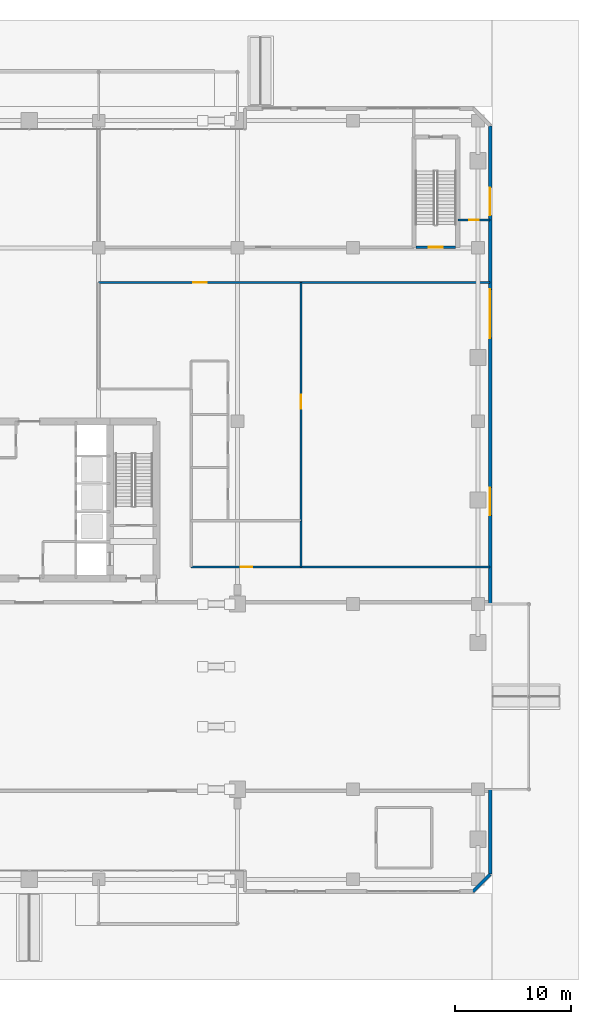
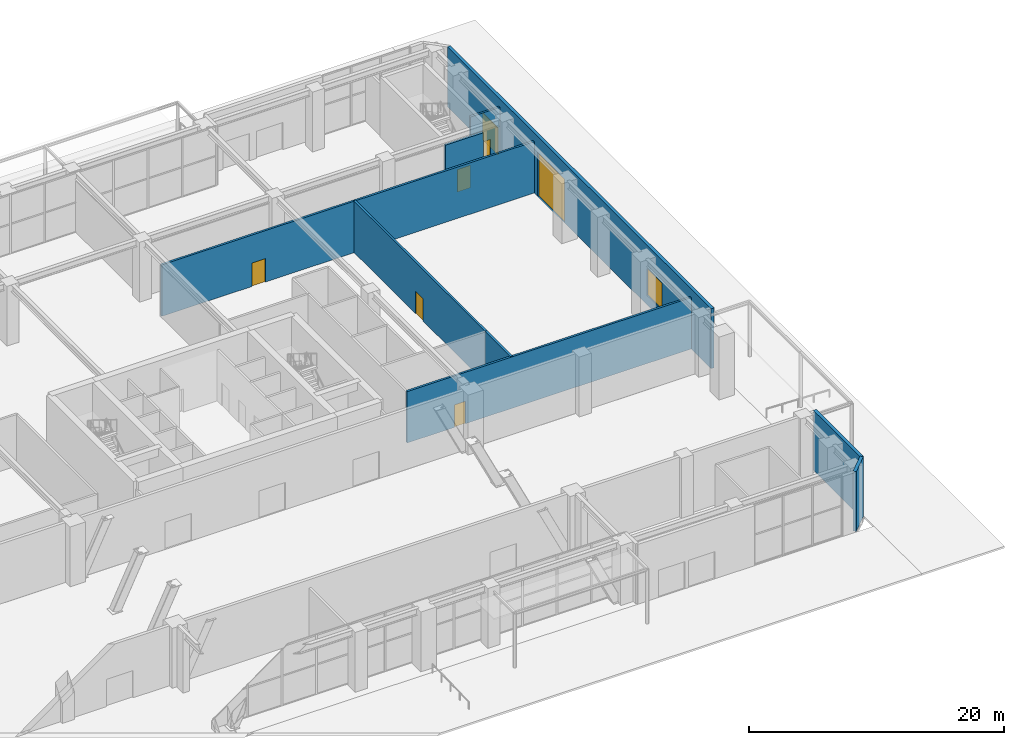
# One storey, part 39 of 49: 9 walls, 7 doors, 1 window, 8 openings.
"""IFC4 building model written with IfcOpenShell, lengths in metres."""

from ifc_helpers import new_model, si_unit, direction, frame, frame_2d, origin, place, context, subcontext, project, spatial, rectangle, extrude, material, layer, layer_set, type_object, element, fill, save


model = new_model("IFC4")

# Units and contexts
model_context = context("Model", 3, precision=1e-05, world=origin(), true_north=direction((0.0, 1.0)))
body_context = subcontext(model_context, "Body", "Model", "MODEL_VIEW")
ifc_project = project(units=[si_unit("LENGTHUNIT", "METRE"), si_unit("AREAUNIT", "SQUARE_METRE"), si_unit("VOLUMEUNIT", "CUBIC_METRE"), si_unit("PLANEANGLEUNIT", "RADIAN"), si_unit("MASSUNIT", "GRAM", prefix="KILO")], contexts=[model_context])

# Site, building, storey
site_placement = place(None, origin())
site = spatial("IfcSite", under=ifc_project, at=site_placement, CompositionType="ELEMENT")
building_placement = place(site_placement, origin())
building = spatial("IfcBuilding", under=site, at=building_placement, Name="Sarneth Arch Tower", CompositionType="ELEMENT")
storey_placement = place(building_placement, origin())
storey = spatial("IfcBuildingStorey", under=building, at=storey_placement, Name="L00", CompositionType="ELEMENT", Elevation=0.0)

# Wall, opening, door
ifc_material_1 = material(Name="Double steel-stud corridor fire wall", Category="steel")
ifc_layer_1 = layer(ifc_material_1, 0.18994140625)
ifc_layer_set_1 = layer_set([ifc_layer_1], Name="Double steel-stud corridor fire wall")
wall_type_1 = type_object("IfcWallType", Name="WALL-CORR-190", PredefinedType="PARTITIONING", material=ifc_layer_set_1)
wall_1_placement = place(storey_placement, frame((71.5, 60.800048828125, 0.0), z_axis=(0.0, 0.0, 1.0), x_axis=(0.0, -1.0, 0.0)))
wall_1 = element("IfcWall", 1, at=wall_1_placement, inside=storey, type_object=wall_type_1, Name="L00 Interior partition W-L00N-TP-035", PredefinedType="PARTITIONING", context=body_context, shape_type="SweptSolid", body=[
    extrude(rectangle(XDim=20.60009765625, YDim=0.18994140625, at=frame_2d((10.300048828125, 0.0))), origin(), (0.0, 0.0, 1.0), 4.919921875),
])
opening_1_placement = place(wall_1_placement, frame((9.699951171875, 0.0, 0.0)))
opening_1 = element("IfcOpeningElement", 2, at=opening_1_placement, cuts=wall_1, Name="Opening FD-02", PredefinedType="OPENING", context=body_context, shape_type="SweptSolid", body=[
    extrude(rectangle(XDim=1.199951171875, YDim=2.14990234375, at=frame_2d((0.60009765625, 1.074951171875))), frame((0.0, 0.10498046875, 0.0), z_axis=(0.0, -1.0, 0.0), x_axis=(1.0, 0.0, 0.0)), (0.0, 0.0, 1.0), 0.2099609375),
])
ifc_material_2 = material(Name="Galvanised Steel S275 fire door set", Category="steel")
door_type_1 = type_object("IfcDoorType", Name="DR-FD90-1200", OperationType="SINGLE_SWING_LEFT", PredefinedType="DOOR", material=ifc_material_2)
door_1_placement = place(opening_1_placement, origin())
door_1 = element("IfcDoor", 3, at=door_1_placement, inside=storey, type_object=door_type_1, Name="L00 Interior door DR-L00-LOAD", OperationType="SINGLE_SWING_LEFT", OverallHeight=2.14990234375, OverallWidth=1.199951171875, PredefinedType="DOOR", context=body_context, shape_type="SweptSolid", body=[
    extrude(rectangle(XDim=1.199951171875, YDim=2.14990234375, at=frame_2d((0.60009765625, 1.074951171875))), frame((0.0, 0.02490234375, 0.0), z_axis=(0.0, -1.0, 0.0), x_axis=(1.0, 0.0, 0.0)), (0.0, 0.0, 1.0), 0.050048828125),
])
fill(opening_1, door_1)

wall_2_placement = place(storey_placement, frame((87.85009765625, 60.800048828125, 0.0), z_axis=(0.0, 0.0, 1.0), x_axis=(-1.0, 0.0, 0.0)))
wall_2 = element("IfcWall", 4, at=wall_2_placement, inside=storey, type_object=wall_type_1, Name="L00 Interior partition W-L00N-TP-018", PredefinedType="PARTITIONING", context=body_context, shape_type="SweptSolid", body=[
    extrude(rectangle(XDim=33.85009765625, YDim=0.18994140625, at=frame_2d((16.925048828125, 0.0))), origin(), (0.0, 0.0, 1.0), 4.919921875),
])
opening_2_placement = place(wall_2_placement, frame((24.48388671875, 0.0, 0.0)))
opening_2 = element("IfcOpeningElement", 5, at=opening_2_placement, cuts=wall_2, Name="Opening FD-06", PredefinedType="OPENING", context=body_context, shape_type="SweptSolid", body=[
    extrude(rectangle(XDim=1.199951171875, YDim=2.25, at=frame_2d((0.60009765625, 1.125))), frame((0.0, 0.10498046875, 0.0), z_axis=(0.0, -1.0, 0.0), x_axis=(1.0, 0.0, 0.0)), (0.0, 0.0, 1.0), 0.2099609375),
])
ifc_material_3 = material(Name="Hardwood timber acoustic fire door", Category="wood")
door_type_2 = type_object("IfcDoorType", Name="DR-FD60-1200", OperationType="SINGLE_SWING_LEFT", PredefinedType="DOOR", material=ifc_material_3)
door_2_placement = place(opening_2_placement, origin())
door_2 = element("IfcDoor", 6, at=door_2_placement, inside=storey, type_object=door_type_2, Name="L00 Interior door DR-L00-BOH", OperationType="SINGLE_SWING_RIGHT", OverallHeight=2.25, OverallWidth=1.199951171875, PredefinedType="DOOR", context=body_context, shape_type="SweptSolid", body=[
    extrude(rectangle(XDim=1.199951171875, YDim=2.25, at=frame_2d((0.60009765625, 1.125))), frame((0.0, 0.02490234375, 0.0), z_axis=(0.0, -1.0, 0.0), x_axis=(1.0, 0.0, 0.0)), (0.0, 0.0, 1.0), 0.050048828125),
])
fill(opening_2, door_2)

wall_3_placement = place(storey_placement, frame((62.0, 36.199951171875, 0.0), z_axis=(0.0, 0.0, 1.0), x_axis=(1.0, 0.0, 0.0)))
wall_3 = element("IfcWall", 7, at=wall_3_placement, inside=storey, type_object=wall_type_1, Name="L00 Interior partition W-L00N-TP-021", PredefinedType="PARTITIONING", context=body_context, shape_type="SweptSolid", body=[
    extrude(rectangle(XDim=25.85009765625, YDim=0.18994140625, at=frame_2d((12.925048828125, 0.0))), origin(), (0.0, 0.0, 1.0), 4.919921875),
])
opening_3_placement = place(wall_3_placement, frame((4.26611328125, 0.0, 0.0)))
opening_3 = element("IfcOpeningElement", 8, at=opening_3_placement, cuts=wall_3, Name="Opening FD-04", PredefinedType="OPENING", context=body_context, shape_type="SweptSolid", body=[
    extrude(rectangle(XDim=1.0, YDim=2.14990234375, at=frame_2d((0.5, 1.074951171875))), frame((0.0, 0.10498046875, 0.0), z_axis=(0.0, -1.0, 0.0), x_axis=(1.0, 0.0, 0.0)), (0.0, 0.0, 1.0), 0.2099609375),
])
ifc_material_4 = material(Name="Galvanised Steel S275 fire door set", Category="steel")
door_type_3 = type_object("IfcDoorType", Name="DR-FD90-1000", OperationType="SINGLE_SWING_RIGHT", PredefinedType="DOOR", material=ifc_material_4)
door_3_placement = place(opening_3_placement, origin())
door_3 = element("IfcDoor", 9, at=door_3_placement, inside=storey, type_object=door_type_3, Name="L00 Interior door DR-L00-FCC", OperationType="SINGLE_SWING_LEFT", OverallHeight=2.14990234375, OverallWidth=1.0, PredefinedType="DOOR", context=body_context, shape_type="SweptSolid", body=[
    extrude(rectangle(XDim=1.0, YDim=2.14990234375, at=frame_2d((0.5, 1.074951171875))), frame((0.0, 0.02490234375, 0.0), z_axis=(0.0, -1.0, 0.0), x_axis=(1.0, 0.0, 0.0)), (0.0, 0.0, 1.0), 0.050048828125),
])
fill(opening_3, door_3)

wall_4_placement = place(storey_placement, frame((85.050048828125, 66.199951171875, 0.0), z_axis=(0.0, 0.0, 1.0), x_axis=(1.0, 0.0, 0.0)))
wall_4 = element("IfcWall", 10, at=wall_4_placement, inside=storey, type_object=wall_type_1, Name="L00 Interior partition W-L00N-TP-012", PredefinedType="PARTITIONING", context=body_context, shape_type="SweptSolid", body=[
    extrude(rectangle(XDim=2.800048828125, YDim=0.18994140625, at=frame_2d((1.39990234375, 0.0))), origin(), (0.0, 0.0, 1.0), 4.919921875),
])
opening_4_placement = place(wall_4_placement, frame((0.97509765625, 0.0, 0.0)))
opening_4 = element("IfcOpeningElement", 11, at=opening_4_placement, cuts=wall_4, Name="Opening FD-11", PredefinedType="OPENING", context=body_context, shape_type="SweptSolid", body=[
    extrude(rectangle(XDim=0.85009765625, YDim=2.14990234375, at=frame_2d((0.425048828125, 1.074951171875))), frame((0.0, 0.10498046875, 0.0), z_axis=(0.0, -1.0, 0.0), x_axis=(1.0, 0.0, 0.0)), (0.0, 0.0, 1.0), 0.2099609375),
])
ifc_material_5 = material(Name="Galvanised Steel S275 closet fire door", Category="steel")
door_type_4 = type_object("IfcDoorType", Name="DR-FD60-850", OperationType="SINGLE_SWING_LEFT", PredefinedType="DOOR", material=ifc_material_5)
door_4_placement = place(opening_4_placement, origin())
door_4 = element("IfcDoor", 12, at=door_4_placement, inside=storey, type_object=door_type_4, Name="L00 Interior door DR-L00-EVS", OperationType="SINGLE_SWING_RIGHT", OverallHeight=2.14990234375, OverallWidth=0.85009765625, PredefinedType="DOOR", context=body_context, shape_type="SweptSolid", body=[
    extrude(rectangle(XDim=0.85009765625, YDim=2.14990234375, at=frame_2d((0.425048828125, 1.074951171875))), frame((0.0, 0.02490234375, 0.0), z_axis=(0.0, -1.0, 0.0), x_axis=(1.0, 0.0, 0.0)), (0.0, 0.0, 1.0), 0.050048828125),
])
fill(opening_4, door_4)

# Wall, openings, doors, window
ifc_material_6 = material(Name="Extruded terracotta rainscreen on Concrete C40/50 backing", Category="masonry")
ifc_layer_2 = layer(ifc_material_6, 0.280029296875)
ifc_layer_set_2 = layer_set([ifc_layer_2], Name="Extruded terracotta rainscreen on Concrete C40/50 backing")
wall_type_2 = type_object("IfcWallType", Name="WALL-EXT-TERRA-280", PredefinedType="SOLIDWALL", material=ifc_layer_set_2)
wall_5_placement = place(storey_placement, frame((87.85009765625, 74.35009765625, 0.0), z_axis=(0.0, 0.0, 1.0), x_axis=(0.0, -1.0, 0.0)))
wall_5 = element("IfcWall", 13, at=wall_5_placement, inside=storey, type_object=wall_type_2, Name="L00 East podium north wall", PredefinedType="SOLIDWALL", context=body_context, shape_type="SweptSolid", body=[
    extrude(rectangle(XDim=41.35009765625, YDim=0.280029296875, at=frame_2d((20.675048828125, 0.0))), origin(), (0.0, 0.0, 1.0), 5.719970703125),
])
opening_5_placement = place(wall_5_placement, frame((5.35009765625, 0.0, 0.0)))
opening_5 = element("IfcOpeningElement", 14, at=opening_5_placement, cuts=wall_5, Name="Opening ED-1", PredefinedType="OPENING", context=body_context, shape_type="SweptSolid", body=[
    extrude(rectangle(XDim=2.39990234375, YDim=2.60009765625, at=frame_2d((1.199951171875, 1.300048828125))), frame((0.0, 0.14990234375, 0.0), z_axis=(0.0, -1.0, 0.0), x_axis=(1.0, 0.0, 0.0)), (0.0, 0.0, 1.0), 0.300048828125),
])
opening_6_placement = place(wall_5_placement, frame((14.14990234375, 0.0, 0.0)))
opening_6 = element("IfcOpeningElement", 15, at=opening_6_placement, cuts=wall_5, Name="Opening VD-01", PredefinedType="OPENING", context=body_context, shape_type="SweptSolid", body=[
    extrude(rectangle(XDim=4.199951171875, YDim=4.199951171875, at=frame_2d((2.10009765625, 2.10009765625))), frame((0.0, 0.14990234375, 0.0), z_axis=(0.0, -1.0, 0.0), x_axis=(1.0, 0.0, 0.0)), (0.0, 0.0, 1.0), 0.300048828125),
])
opening_7_placement = place(wall_5_placement, frame((31.27490234375, 0.0, 0.89990234375)))
opening_7 = element("IfcOpeningElement", 16, at=opening_7_placement, cuts=wall_5, Name="Opening W-02", PredefinedType="OPENING", context=body_context, shape_type="SweptSolid", body=[
    extrude(rectangle(XDim=2.39990234375, YDim=2.60009765625, at=frame_2d((1.199951171875, 1.300048828125))), frame((0.0, 0.14990234375, 0.0), z_axis=(0.0, -1.0, 0.0), x_axis=(1.0, 0.0, 0.0)), (0.0, 0.0, 1.0), 0.300048828125),
])
ifc_material_7 = material(Name="Thermally broken Aluminium 6063-T6 and laminated safety glass", Category="aluminium")
door_type_5 = type_object("IfcDoorType", Name="DR-EXT-DBL-2400", OperationType="DOUBLE_DOOR_SINGLE_SWING", PredefinedType="DOOR", material=ifc_material_7)
door_5_placement = place(opening_5_placement, origin())
door_5 = element("IfcDoor", 17, at=door_5_placement, inside=storey, type_object=door_type_5, Name="East Protected Exit Vestibule Street Door", OperationType="DOUBLE_DOOR_SINGLE_SWING", OverallHeight=2.60009765625, OverallWidth=2.39990234375, PredefinedType="DOOR", context=body_context, shape_type="SweptSolid", body=[
    extrude(rectangle(XDim=2.39990234375, YDim=2.60009765625, at=frame_2d((1.199951171875, 1.300048828125))), frame((0.0, 0.02490234375, 0.0), z_axis=(0.0, -1.0, 0.0), x_axis=(1.0, 0.0, 0.0)), (0.0, 0.0, 1.0), 0.050048828125),
])
fill(opening_5, door_5)
ifc_material_8 = material(Name="Thermally broken Aluminium 6063-T6 and laminated safety glass", Category="aluminium")
door_type_6 = type_object("IfcDoorType", Name="DR-SHUTTER-4200", OperationType="ROLLINGUP", PredefinedType="GATE", material=ifc_material_8)
door_6_placement = place(opening_6_placement, origin())
door_6 = element("IfcDoor", 18, at=door_6_placement, inside=storey, type_object=door_type_6, Name="Service and Loading Bay Roller Shutter", OperationType="ROLLINGUP", OverallHeight=4.199951171875, OverallWidth=4.199951171875, PredefinedType="GATE", context=body_context, shape_type="SweptSolid", body=[
    extrude(rectangle(XDim=4.199951171875, YDim=4.199951171875, at=frame_2d((2.10009765625, 2.10009765625))), frame((0.0, 0.02490234375, 0.0), z_axis=(0.0, -1.0, 0.0), x_axis=(1.0, 0.0, 0.0)), (0.0, 0.0, 1.0), 0.050048828125),
])
fill(opening_6, door_6)
ifc_material_9 = material(Name="Thermally broken Aluminium 6063-T6 and low-e laminated IGU", Category="aluminium")
window_type = type_object("IfcWindowType", Name="WIN-POD-2400x2600", PartitioningType="DOUBLE_PANEL_VERTICAL", PredefinedType="WINDOW", material=ifc_material_9)
window_placement = place(opening_7_placement, origin())
window = element("IfcWindow", 19, at=window_placement, inside=storey, type_object=window_type, Name="L00 East window 3", OverallHeight=2.60009765625, OverallWidth=2.39990234375, PartitioningType="SINGLE_PANEL", PredefinedType="WINDOW", context=body_context, shape_type="SweptSolid", body=[
    extrude(rectangle(XDim=2.39990234375, YDim=2.60009765625, at=frame_2d((1.199951171875, 1.300048828125))), frame((0.0, 0.030029296875, 0.0), z_axis=(0.0, -1.0, 0.0), x_axis=(1.0, 0.0, 0.0)), (0.0, 0.0, 1.0), 0.06005859375),
])
fill(opening_7, window)

# Walls
wall_6_placement = place(storey_placement, frame((87.85009765625, 9.64990234375, 0.0), z_axis=(0.0, 0.0, 1.0), x_axis=(0.0, 1.0, 0.0)))
element("IfcWall", 20, at=wall_6_placement, inside=storey, type_object=wall_type_2, Name="L00 East south wing wall", PredefinedType="SOLIDWALL", context=body_context, shape_type="SweptSolid", body=[
    extrude(rectangle(XDim=7.35009765625, YDim=0.280029296875, at=frame_2d((3.675048828125, 0.0))), origin(), (0.0, 0.0, 1.0), 5.719970703125),
])
wall_7_placement = place(storey_placement, frame((86.35009765625, 8.14990234375, 0.0), z_axis=(0.0, 0.0, 1.0), x_axis=(0.707106781187, 0.707106781187, 0.0)))
element("IfcWall", 21, at=wall_7_placement, inside=storey, type_object=wall_type_2, Name="L00 Podium chamfer terracotta wall SE", PredefinedType="SOLIDWALL", context=body_context, shape_type="SweptSolid", body=[
    extrude(rectangle(XDim=2.121337890625, YDim=0.280029296875, at=frame_2d((1.060546875, 0.0))), origin(), (0.0, 0.0, 1.0), 5.719970703125),
])

# Wall, opening, door
ifc_material_10 = material(Name="Aerated concrete blockwork C25/30", Category="masonry")
ifc_layer_3 = layer(ifc_material_10, 0.199951171875)
ifc_layer_set_3 = layer_set([ifc_layer_3], Name="Aerated concrete blockwork C25/30")
wall_type_3 = type_object("IfcWallType", Name="WALL-SHAFT-200", PredefinedType="SOLIDWALL", material=ifc_layer_set_3)
wall_8_placement = place(storey_placement, frame((81.429931640625, 63.85009765625, 0.0), z_axis=(0.0, 0.0, 1.0), x_axis=(1.0, 0.0, 0.0)))
wall_8 = element("IfcWall", 22, at=wall_8_placement, inside=storey, type_object=wall_type_3, Name="L00 Interior partition W-L00-STP2-S", PredefinedType="SOLIDWALL", context=body_context, shape_type="SweptSolid", body=[
    extrude(rectangle(XDim=3.440185546875, YDim=0.199951171875, at=frame_2d((1.72021484375, 0.0))), origin(), (0.0, 0.0, 1.0), 4.919921875),
])
opening_8_placement = place(wall_8_placement, frame((1.1201171875, 0.0, 0.0)))
opening_8 = element("IfcOpeningElement", 23, at=opening_8_placement, cuts=wall_8, Name="Opening FD-02", PredefinedType="OPENING", context=body_context, shape_type="SweptSolid", body=[
    extrude(rectangle(XDim=1.199951171875, YDim=2.14990234375, at=frame_2d((0.60009765625, 1.074951171875))), frame((0.0, 0.10986328125, 0.0), z_axis=(0.0, -1.0, 0.0), x_axis=(1.0, 0.0, 0.0)), (0.0, 0.0, 1.0), 0.219970703125),
])
door_7_placement = place(opening_8_placement, origin())
door_7 = element("IfcDoor", 24, at=door_7_placement, inside=storey, type_object=door_type_1, Name="L00 Interior door DR-L00-STP2", OperationType="SINGLE_SWING_RIGHT", OverallHeight=2.14990234375, OverallWidth=1.199951171875, PredefinedType="DOOR", context=body_context, shape_type="SweptSolid", body=[
    extrude(rectangle(XDim=1.199951171875, YDim=2.14990234375, at=frame_2d((0.60009765625, 1.074951171875))), frame((0.0, 0.02490234375, 0.0), z_axis=(0.0, -1.0, 0.0), x_axis=(1.0, 0.0, 0.0)), (0.0, 0.0, 1.0), 0.050048828125),
])
fill(opening_8, door_7)

# Wall
ifc_material_11 = material(Name="Double steel-stud acoustic drywall", Category="steel")
ifc_layer_4 = layer(ifc_material_11, 0.199951171875)
ifc_layer_set_4 = layer_set([ifc_layer_4], Name="Double steel-stud acoustic drywall")
wall_type_4 = type_object("IfcWallType", Name="WALL-UNIT-200", PredefinedType="PARTITIONING", material=ifc_layer_set_4)
wall_9_placement = place(storey_placement, frame((71.5, 40.199951171875, 0.0), z_axis=(0.0, 0.0, 1.0), x_axis=(0.0, -1.0, 0.0)))
element("IfcWall", 25, at=wall_9_placement, inside=storey, type_object=wall_type_4, Name="L00 Interior partition W-L00N-TP-027", PredefinedType="PARTITIONING", context=body_context, shape_type="SweptSolid", body=[
    extrude(rectangle(XDim=4.0, YDim=0.199951171875, at=frame_2d((2.0, 0.0))), origin(), (0.0, 0.0, 1.0), 4.919921875),
])

save(model, "model.ifc")
